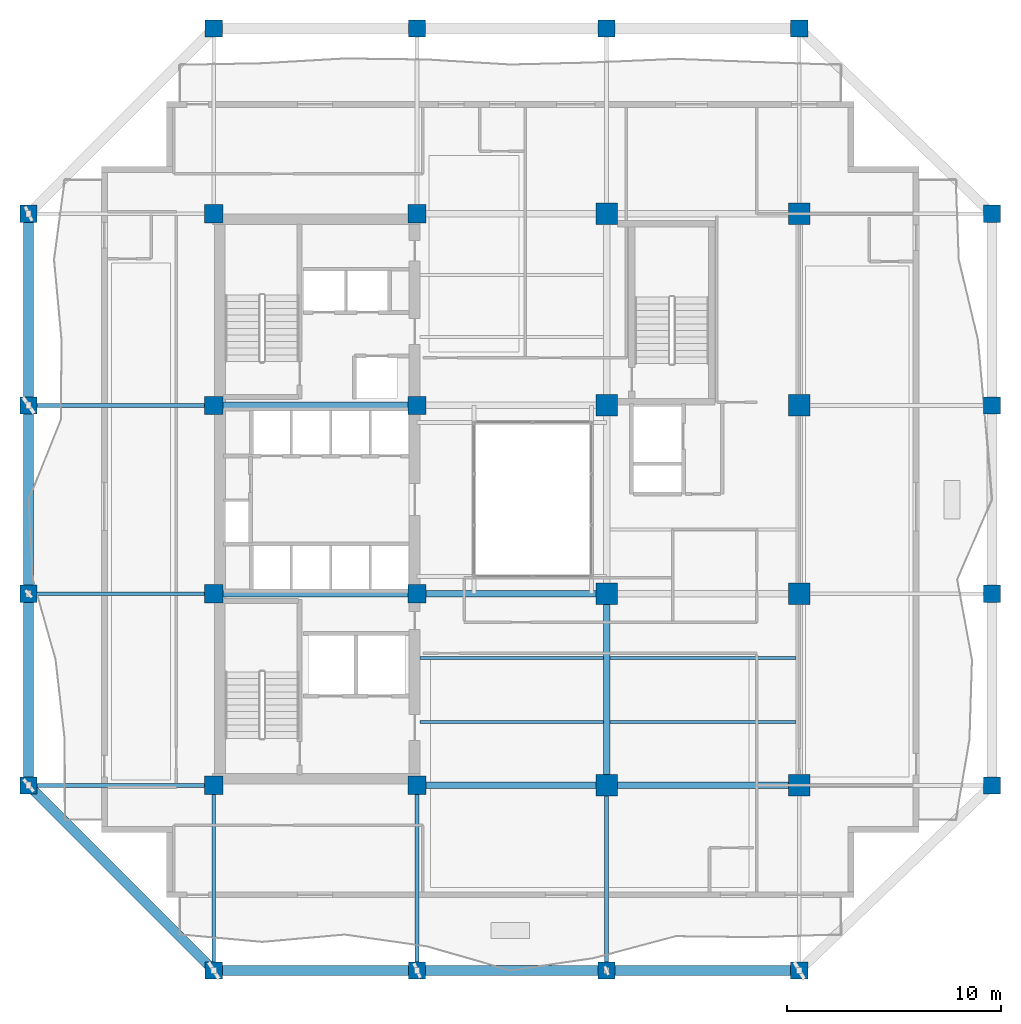
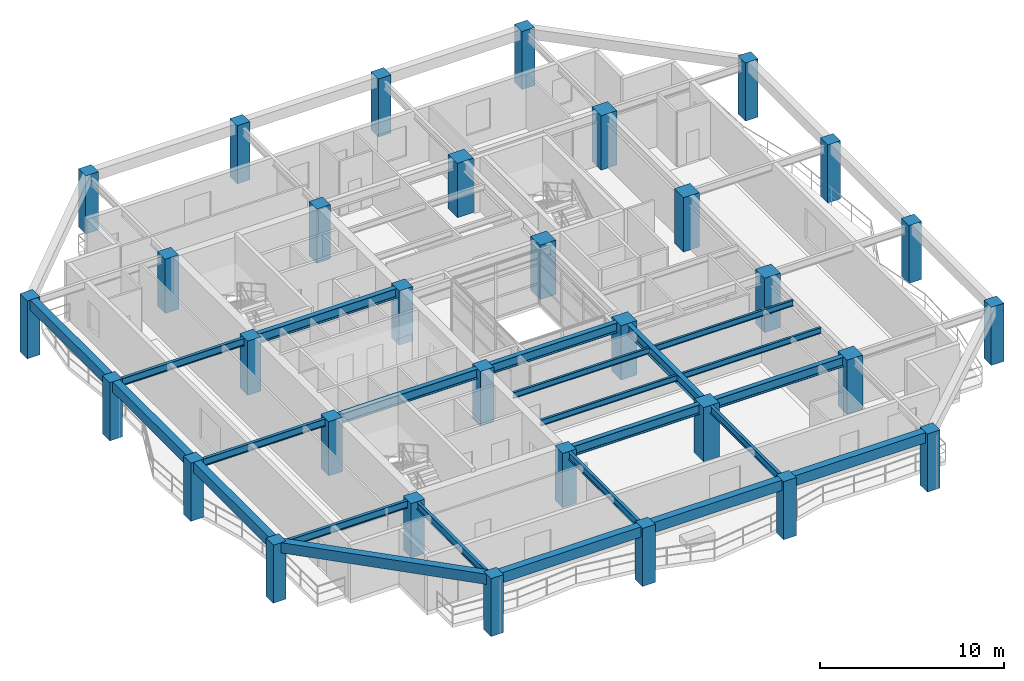
# One storey, part 1 of 14: 32 columns, 23 beams.
"""IFC4 building model written with IfcOpenShell, lengths in metres."""

from ifc_helpers import new_model, si_unit, direction, frame, origin, origin_2d, place, context, subcontext, project, spatial, rectangle, i_section, extrude, material, material_profile, profile_set, type_object, element, save


model = new_model("IFC4")

# Units and contexts
model_context = context("Model", 3, precision=1e-05, world=origin(), true_north=direction((0.0, 1.0)))
body_context = subcontext(model_context, "Body", "Model", "MODEL_VIEW")
ifc_project = project(units=[si_unit("LENGTHUNIT", "METRE"), si_unit("AREAUNIT", "SQUARE_METRE"), si_unit("VOLUMEUNIT", "CUBIC_METRE"), si_unit("PLANEANGLEUNIT", "RADIAN"), si_unit("MASSUNIT", "GRAM", prefix="KILO")], contexts=[model_context])

# Site, building, storey
site_placement = place(None, origin())
site = spatial("IfcSite", under=ifc_project, at=site_placement, CompositionType="ELEMENT")
building_placement = place(site_placement, origin())
building = spatial("IfcBuilding", under=site, at=building_placement, Name="Kundavana Baori Tower", CompositionType="ELEMENT")
storey_placement = place(building_placement, frame((0.0, 0.0, 104.0)))
storey = spatial("IfcBuildingStorey", under=building, at=storey_placement, Name="L24", CompositionType="ELEMENT", Elevation=104.0)

# Columns
ifc_material_1 = material(Name="Concrete C50/60", Category="concrete")
ifc_material_profile_1 = material_profile(ifc_material_1, rectangle(XDim=0.800048828125, YDim=0.800048828125, at=origin_2d()), Name="RC PF 800x800")
ifc_profile_set_1 = profile_set([ifc_material_profile_1], Name="Concrete C50/60")
column_type_1 = type_object("IfcColumnType", Name="COL-PF-800", PredefinedType="COLUMN", material=ifc_profile_set_1)
for number, where, z_axis, x_axis, name in (
    (1, (15.449951171875, 6.60009765625, 0.0), (0.0, 0.0, 1.0), (1.0, 0.0, 0.0), "L24 Stone-Clad Perimeter Frame Column PF-S1"),
    (2, (15.449951171875, 50.60009765625, 0.0), (0.0, 0.0, 1.0), (1.0, 0.0, 0.0), "L24 Stone-Clad Perimeter Frame Column PF-N1"),
    (3, (24.949951171875, 6.60009765625, 0.0), (0.0, 0.0, 1.0), (1.0, 0.0, 0.0), "L24 Stone-Clad Perimeter Frame Column PF-S2"),
    (4, (24.949951171875, 50.60009765625, 0.0), (0.0, 0.0, 1.0), (1.0, 0.0, 0.0), "L24 Stone-Clad Perimeter Frame Column PF-N2"),
    (5, (33.800048828125, 6.60009765625, 0.0), (0.0, 0.0, 1.0), (1.0, 0.0, 0.0), "L24 Stone-Clad Perimeter Frame Column PF-S3"),
    (6, (33.800048828125, 50.60009765625, 0.0), (0.0, 0.0, 1.0), (1.0, 0.0, 0.0), "L24 Stone-Clad Perimeter Frame Column PF-N3"),
    (7, (42.800048828125, 6.60009765625, 0.0), (0.0, 0.0, 1.0), (1.0, 0.0, 0.0), "L24 Stone-Clad Perimeter Frame Column PF-S4"),
    (8, (42.800048828125, 50.60009765625, 0.0), (0.0, 0.0, 1.0), (1.0, 0.0, 0.0), "L24 Stone-Clad Perimeter Frame Column PF-N4"),
    (9, (6.800048828125, 15.25, 0.0), (0.0, 0.0, 1.0), (1.0, 0.0, 0.0), "L24 Stone-Clad Perimeter Frame Column PF-W1"),
    (10, (51.800048828125, 15.25, 0.0), (0.0, 0.0, 1.0), (1.0, 0.0, 0.0), "L24 Stone-Clad Perimeter Frame Column PF-E1"),
    (11, (6.800048828125, 24.199951171875, 0.0), (0.0, 0.0, 1.0), (1.0, 0.0, 0.0), "L24 Stone-Clad Perimeter Frame Column PF-W2"),
    (12, (51.800048828125, 24.199951171875, 0.0), (0.0, 0.0, 1.0), (1.0, 0.0, 0.0), "L24 Stone-Clad Perimeter Frame Column PF-E2"),
    (13, (6.800048828125, 33.0, 0.0), (0.0, 0.0, 1.0), (1.0, 0.0, 0.0), "L24 Stone-Clad Perimeter Frame Column PF-W3"),
    (14, (51.800048828125, 33.0, 0.0), (0.0, 0.0, 1.0), (1.0, 0.0, 0.0), "L24 Stone-Clad Perimeter Frame Column PF-E3"),
    (15, (6.800048828125, 41.949951171875, 0.0), (0.0, 0.0, 1.0), (1.0, 0.0, 0.0), "L24 Stone-Clad Perimeter Frame Column PF-W4"),
    (16, (51.800048828125, 41.949951171875, 0.0), (0.0, 0.0, 1.0), (1.0, 0.0, 0.0), "L24 Stone-Clad Perimeter Frame Column PF-E4"),
):
    element("IfcColumn", number, at=place(storey_placement, frame(where, z_axis=z_axis, x_axis=x_axis)), inside=storey, type_object=column_type_1, Name=name, PredefinedType="COLUMN", context=body_context, shape_type="SweptSolid", body=[
        extrude(rectangle(XDim=0.800048828125, YDim=0.800048828125, at=origin_2d()), origin(), (0.0, 0.0, 1.0), 3.85009765625),
    ])
ifc_material_2 = material(Name="Concrete C50/60", Category="concrete")
ifc_material_profile_2 = material_profile(ifc_material_2, rectangle(XDim=1.0, YDim=1.0, at=origin_2d()), Name="RC 1000x1000")
ifc_profile_set_2 = profile_set([ifc_material_profile_2], Name="Concrete C50/60")
column_type_2 = type_object("IfcColumnType", Name="COL-RC-1000", PredefinedType="COLUMN", material=ifc_profile_set_2)
for number, where, z_axis, x_axis, name in (
    (17, (33.800048828125, 15.25, 0.0), (0.0, 0.0, 1.0), (1.0, 0.0, 0.0), "L24 Interior Column IC-5C"),
    (18, (33.800048828125, 24.199951171875, 0.0), (0.0, 0.0, 1.0), (1.0, 0.0, 0.0), "L24 Interior Column IC-5D"),
    (19, (33.800048828125, 33.0, 0.0), (0.0, 0.0, 1.0), (1.0, 0.0, 0.0), "L24 Interior Column IC-5E"),
    (20, (33.800048828125, 41.949951171875, 0.0), (0.0, 0.0, 1.0), (1.0, 0.0, 0.0), "L24 Interior Column IC-5F"),
    (21, (42.800048828125, 15.25, 0.0), (0.0, 0.0, 1.0), (1.0, 0.0, 0.0), "L24 Interior Column IC-6C"),
    (22, (42.800048828125, 24.199951171875, 0.0), (0.0, 0.0, 1.0), (1.0, 0.0, 0.0), "L24 Interior Column IC-6D"),
    (23, (42.800048828125, 33.0, 0.0), (0.0, 0.0, 1.0), (1.0, 0.0, 0.0), "L24 Interior Column IC-6E"),
    (24, (42.800048828125, 41.949951171875, 0.0), (0.0, 0.0, 1.0), (1.0, 0.0, 0.0), "L24 Interior Column IC-6F"),
):
    element("IfcColumn", number, at=place(storey_placement, frame(where, z_axis=z_axis, x_axis=x_axis)), inside=storey, type_object=column_type_2, Name=name, PredefinedType="COLUMN", context=body_context, shape_type="SweptSolid", body=[
        extrude(rectangle(XDim=1.0, YDim=1.0, at=origin_2d()), origin(), (0.0, 0.0, 1.0), 3.60009765625),
    ])
ifc_material_3 = material(Name="Concrete C50/60", Category="concrete")
ifc_material_profile_3 = material_profile(ifc_material_3, rectangle(XDim=0.85009765625, YDim=0.85009765625, at=origin_2d()), Name="RC 850x850")
ifc_profile_set_3 = profile_set([ifc_material_profile_3], Name="Concrete C50/60")
column_type_3 = type_object("IfcColumnType", Name="COL-RC-850", PredefinedType="COLUMN", material=ifc_profile_set_3)
for number, where, z_axis, x_axis, name in (
    (25, (15.449951171875, 15.25, 0.0), (0.0, 0.0, 1.0), (1.0, 0.0, 0.0), "L24 Interior Column IC-3C"),
    (26, (15.449951171875, 24.199951171875, 0.0), (0.0, 0.0, 1.0), (1.0, 0.0, 0.0), "L24 Interior Column IC-3D"),
    (27, (15.449951171875, 33.0, 0.0), (0.0, 0.0, 1.0), (1.0, 0.0, 0.0), "L24 Interior Column IC-3E"),
    (28, (15.449951171875, 41.949951171875, 0.0), (0.0, 0.0, 1.0), (1.0, 0.0, 0.0), "L24 Interior Column IC-3F"),
    (29, (24.949951171875, 15.25, 0.0), (0.0, 0.0, 1.0), (1.0, 0.0, 0.0), "L24 Interior Column IC-4C"),
    (30, (24.949951171875, 24.199951171875, 0.0), (0.0, 0.0, 1.0), (1.0, 0.0, 0.0), "L24 Interior Column IC-4D"),
    (31, (24.949951171875, 33.0, 0.0), (0.0, 0.0, 1.0), (1.0, 0.0, 0.0), "L24 Interior Column IC-4E"),
    (32, (24.949951171875, 41.949951171875, 0.0), (0.0, 0.0, 1.0), (1.0, 0.0, 0.0), "L24 Interior Column IC-4F"),
):
    element("IfcColumn", number, at=place(storey_placement, frame(where, z_axis=z_axis, x_axis=x_axis)), inside=storey, type_object=column_type_3, Name=name, PredefinedType="COLUMN", context=body_context, shape_type="SweptSolid", body=[
        extrude(rectangle(XDim=0.85009765625, YDim=0.85009765625, at=origin_2d()), origin(), (0.0, 0.0, 1.0), 3.60009765625),
    ])

# Beams
ifc_material_4 = material(Name="Structural Steel S355JR", Category="steel")
ifc_material_profile_4 = material_profile(ifc_material_4, i_section(OverallWidth=0.139892578125, OverallDepth=0.39990234375, WebThickness=0.0087890625, FlangeThickness=0.01611328125, FilletRadius=0.013916015625, at=origin_2d()), Name="ISMB 400")
ifc_profile_set_4 = profile_set([ifc_material_profile_4], Name="Structural Steel S355JR")
beam_type_1 = type_object("IfcBeamType", Name="BM-JST-400", PredefinedType="JOIST", material=ifc_profile_set_4)
for number, where, z_axis, x_axis, name in (
    (33, (25.080078125, 18.199951171875, 3.39990234375), (1.0, 0.0, 0.0), (0.0, 1.0, 0.0), "L24 Central Bay Composite Floor Joist C1"),
    (34, (25.080078125, 21.199951171875, 3.39990234375), (1.0, 0.0, 0.0), (0.0, 1.0, 0.0), "L24 Central Bay Composite Floor Joist C2"),
):
    element("IfcBeam", number, at=place(storey_placement, frame(where, z_axis=z_axis, x_axis=x_axis)), inside=storey, type_object=beam_type_1, Name=name, PredefinedType="JOIST", context=body_context, shape_type="SweptSolid", body=[
        extrude(i_section(OverallWidth=0.139892578125, OverallDepth=0.39990234375, WebThickness=0.0087890625, FlangeThickness=0.01611328125, FilletRadius=0.013916015625, at=origin_2d()), origin(), (0.0, 0.0, 1.0), 8.56982421875),
    ])
for number, where, z_axis, x_axis, name in (
    (35, (33.949951171875, 18.199951171875, 3.39990234375), (1.0, 0.0, 0.0), (0.0, 1.0, 0.0), "L24 East Bay Composite Floor Joist E1"),
    (36, (33.949951171875, 21.199951171875, 3.39990234375), (1.0, 0.0, 0.0), (0.0, 1.0, 0.0), "L24 East Bay Composite Floor Joist E2"),
):
    element("IfcBeam", number, at=place(storey_placement, frame(where, z_axis=z_axis, x_axis=x_axis)), inside=storey, type_object=beam_type_1, Name=name, PredefinedType="JOIST", context=body_context, shape_type="SweptSolid", body=[
        extrude(i_section(OverallWidth=0.139892578125, OverallDepth=0.39990234375, WebThickness=0.0087890625, FlangeThickness=0.01611328125, FilletRadius=0.013916015625, at=origin_2d()), origin(), (0.0, 0.0, 1.0), 8.699951171875),
    ])
ifc_material_5 = material(Name="Concrete C50/60", Category="concrete")
ifc_material_profile_5 = material_profile(ifc_material_5, rectangle(XDim=0.449951171875, YDim=0.679931640625, at=origin_2d()), Name="RC BM 450x680")
ifc_profile_set_5 = profile_set([ifc_material_profile_5], Name="Concrete C50/60")
beam_type_2 = type_object("IfcBeamType", Name="BM-PF-680", PredefinedType="SPANDREL", material=ifc_profile_set_5)
beam_1_placement = place(storey_placement, frame((15.449951171875, 6.60009765625, 3.510009765625), z_axis=(1.0, 0.0, 0.0), x_axis=(0.0, 1.0, 0.0)))
element("IfcBeam", 37, at=beam_1_placement, inside=storey, type_object=beam_type_2, Name="L24 Perimeter Frame Ring Beam S1", PredefinedType="SPANDREL", context=body_context, shape_type="SweptSolid", body=[
    extrude(rectangle(XDim=0.449951171875, YDim=0.679931640625, at=origin_2d()), origin(), (0.0, 0.0, 1.0), 9.5),
])
beam_2_placement = place(storey_placement, frame((24.949951171875, 6.60009765625, 3.510009765625), z_axis=(1.0, 0.0, 0.0), x_axis=(0.0, 1.0, 0.0)))
element("IfcBeam", 38, at=beam_2_placement, inside=storey, type_object=beam_type_2, Name="L24 Perimeter Frame Ring Beam S2", PredefinedType="SPANDREL", context=body_context, shape_type="SweptSolid", body=[
    extrude(rectangle(XDim=0.449951171875, YDim=0.679931640625, at=origin_2d()), origin(), (0.0, 0.0, 1.0), 8.85009765625),
])
beam_3_placement = place(storey_placement, frame((33.800048828125, 6.60009765625, 3.510009765625), z_axis=(1.0, 0.0, 0.0), x_axis=(0.0, 1.0, 0.0)))
element("IfcBeam", 39, at=beam_3_placement, inside=storey, type_object=beam_type_2, Name="L24 Perimeter Frame Ring Beam S3", PredefinedType="SPANDREL", context=body_context, shape_type="SweptSolid", body=[
    extrude(rectangle(XDim=0.449951171875, YDim=0.679931640625, at=origin_2d()), origin(), (0.0, 0.0, 1.0), 9.0),
])
beam_4_placement = place(storey_placement, frame((6.800048828125, 15.25, 3.510009765625), z_axis=(0.0, 1.0, 0.0), x_axis=(-1.0, 0.0, 0.0)))
element("IfcBeam", 40, at=beam_4_placement, inside=storey, type_object=beam_type_2, Name="L24 Perimeter Frame Ring Beam W1", PredefinedType="SPANDREL", context=body_context, shape_type="SweptSolid", body=[
    extrude(rectangle(XDim=0.449951171875, YDim=0.679931640625, at=origin_2d()), origin(), (0.0, 0.0, 1.0), 8.949951171875),
])
beam_5_placement = place(storey_placement, frame((6.800048828125, 24.199951171875, 3.510009765625), z_axis=(0.0, 1.0, 0.0), x_axis=(-1.0, 0.0, 0.0)))
element("IfcBeam", 41, at=beam_5_placement, inside=storey, type_object=beam_type_2, Name="L24 Perimeter Frame Ring Beam W2", PredefinedType="SPANDREL", context=body_context, shape_type="SweptSolid", body=[
    extrude(rectangle(XDim=0.449951171875, YDim=0.679931640625, at=origin_2d()), origin(), (0.0, 0.0, 1.0), 8.800048828125),
])
beam_6_placement = place(storey_placement, frame((6.800048828125, 33.0, 3.510009765625), z_axis=(0.0, 1.0, 0.0), x_axis=(-1.0, 0.0, 0.0)))
element("IfcBeam", 42, at=beam_6_placement, inside=storey, type_object=beam_type_2, Name="L24 Perimeter Frame Ring Beam W3", PredefinedType="SPANDREL", context=body_context, shape_type="SweptSolid", body=[
    extrude(rectangle(XDim=0.449951171875, YDim=0.679931640625, at=origin_2d()), origin(), (0.0, 0.0, 1.0), 8.949951171875),
])
beam_7_placement = place(storey_placement, frame((15.449951171875, 6.60009765625, 3.510009765625), z_axis=(-0.707106781187, 0.707106781187, 0.0), x_axis=(-0.707106781187, -0.707106781187, 0.0)))
element("IfcBeam", 43, at=beam_7_placement, inside=storey, type_object=beam_type_2, Name="L24 Notched Corner Perimeter Beam SW", PredefinedType="SPANDREL", context=body_context, shape_type="SweptSolid", body=[
    extrude(rectangle(XDim=0.449951171875, YDim=0.679931640625, at=origin_2d()), origin(), (0.0, 0.0, 1.0), 12.23291015625),
])
ifc_material_6 = material(Name="Structural Steel S355JR", Category="steel")
ifc_material_profile_6 = material_profile(ifc_material_6, i_section(OverallWidth=0.300048828125, OverallDepth=0.64990234375, WebThickness=0.013427734375, FlangeThickness=0.02197265625, FilletRadius=0.02392578125, at=origin_2d()), Name="NPB 650x300x155")
ifc_profile_set_6 = profile_set([ifc_material_profile_6], Name="Structural Steel S355JR")
beam_type_3 = type_object("IfcBeamType", Name="BM-ST-650", PredefinedType="BEAM", material=ifc_profile_set_6)
beam_8_placement = place(storey_placement, frame((24.949951171875, 15.25, 3.27490234375), z_axis=(1.0, 0.0, 0.0), x_axis=(0.0, 1.0, 0.0)))
element("IfcBeam", 44, at=beam_8_placement, inside=storey, type_object=beam_type_3, Name="L24 Primary Grid Girder GX-1-2", PredefinedType="BEAM", context=body_context, shape_type="SweptSolid", body=[
    extrude(i_section(OverallWidth=0.300048828125, OverallDepth=0.64990234375, WebThickness=0.013427734375, FlangeThickness=0.02197265625, FilletRadius=0.02392578125, at=origin_2d()), origin(), (0.0, 0.0, 1.0), 8.85009765625),
])
beam_9_placement = place(storey_placement, frame((33.800048828125, 15.25, 3.27490234375), z_axis=(1.0, 0.0, 0.0), x_axis=(0.0, 1.0, 0.0)))
element("IfcBeam", 45, at=beam_9_placement, inside=storey, type_object=beam_type_3, Name="L24 Primary Grid Girder GX-1-3", PredefinedType="BEAM", context=body_context, shape_type="SweptSolid", body=[
    extrude(i_section(OverallWidth=0.300048828125, OverallDepth=0.64990234375, WebThickness=0.013427734375, FlangeThickness=0.02197265625, FilletRadius=0.02392578125, at=origin_2d()), origin(), (0.0, 0.0, 1.0), 9.0),
])
beam_10_placement = place(storey_placement, frame((15.449951171875, 24.199951171875, 3.27490234375), z_axis=(1.0, 0.0, 0.0), x_axis=(0.0, 1.0, 0.0)))
element("IfcBeam", 46, at=beam_10_placement, inside=storey, type_object=beam_type_3, Name="L24 Primary Grid Girder GX-2-1", PredefinedType="BEAM", context=body_context, shape_type="SweptSolid", body=[
    extrude(i_section(OverallWidth=0.300048828125, OverallDepth=0.64990234375, WebThickness=0.013427734375, FlangeThickness=0.02197265625, FilletRadius=0.02392578125, at=origin_2d()), origin(), (0.0, 0.0, 1.0), 9.5),
])
beam_11_placement = place(storey_placement, frame((24.949951171875, 24.199951171875, 3.27490234375), z_axis=(1.0, 0.0, 0.0), x_axis=(0.0, 1.0, 0.0)))
element("IfcBeam", 47, at=beam_11_placement, inside=storey, type_object=beam_type_3, Name="L24 Primary Grid Girder GX-2-2", PredefinedType="BEAM", context=body_context, shape_type="SweptSolid", body=[
    extrude(i_section(OverallWidth=0.300048828125, OverallDepth=0.64990234375, WebThickness=0.013427734375, FlangeThickness=0.02197265625, FilletRadius=0.02392578125, at=origin_2d()), origin(), (0.0, 0.0, 1.0), 8.85009765625),
])
beam_12_placement = place(storey_placement, frame((15.449951171875, 33.0, 3.27490234375), z_axis=(1.0, 0.0, 0.0), x_axis=(0.0, 1.0, 0.0)))
element("IfcBeam", 48, at=beam_12_placement, inside=storey, type_object=beam_type_3, Name="L24 Primary Grid Girder GX-3-1", PredefinedType="BEAM", context=body_context, shape_type="SweptSolid", body=[
    extrude(i_section(OverallWidth=0.300048828125, OverallDepth=0.64990234375, WebThickness=0.013427734375, FlangeThickness=0.02197265625, FilletRadius=0.02392578125, at=origin_2d()), origin(), (0.0, 0.0, 1.0), 9.5),
])
beam_13_placement = place(storey_placement, frame((33.800048828125, 15.25, 3.27490234375), z_axis=(0.0, 1.0, 0.0), x_axis=(-1.0, 0.0, 0.0)))
element("IfcBeam", 49, at=beam_13_placement, inside=storey, type_object=beam_type_3, Name="L24 Primary Grid Girder GY-3-1", PredefinedType="BEAM", context=body_context, shape_type="SweptSolid", body=[
    extrude(i_section(OverallWidth=0.300048828125, OverallDepth=0.64990234375, WebThickness=0.013427734375, FlangeThickness=0.02197265625, FilletRadius=0.02392578125, at=origin_2d()), origin(), (0.0, 0.0, 1.0), 8.949951171875),
])
ifc_material_7 = material(Name="Structural Steel S355JR", Category="steel")
ifc_material_profile_7 = material_profile(ifc_material_7, i_section(OverallWidth=0.179931640625, OverallDepth=0.5, WebThickness=0.01025390625, FlangeThickness=0.01708984375, FilletRadius=0.01708984375, at=origin_2d()), Name="ISMB 500")
ifc_profile_set_7 = profile_set([ifc_material_profile_7], Name="Structural Steel S355JR")
beam_type_4 = type_object("IfcBeamType", Name="BM-TIE-500", PredefinedType="BEAM", material=ifc_profile_set_7)
for number, where, z_axis, x_axis, name in (
    (50, (15.449951171875, 15.25, 3.35009765625), (0.0, -1.0, 0.0), (1.0, 0.0, 0.0), "L24 South Radial Loggia Tie Beam S1"),
    (51, (24.949951171875, 15.25, 3.35009765625), (0.0, -1.0, 0.0), (1.0, 0.0, 0.0), "L24 South Radial Loggia Tie Beam S2"),
    (52, (33.800048828125, 15.25, 3.35009765625), (0.0, -1.0, 0.0), (1.0, 0.0, 0.0), "L24 South Radial Loggia Tie Beam S3"),
    (53, (15.449951171875, 15.25, 3.35009765625), (-1.0, 0.0, 0.0), (0.0, -1.0, 0.0), "L24 West Radial Loggia Tie Beam W1"),
    (54, (15.449951171875, 24.199951171875, 3.35009765625), (-1.0, 0.0, 0.0), (0.0, -1.0, 0.0), "L24 West Radial Loggia Tie Beam W2"),
    (55, (15.449951171875, 33.0, 3.35009765625), (-1.0, 0.0, 0.0), (0.0, -1.0, 0.0), "L24 West Radial Loggia Tie Beam W3"),
):
    element("IfcBeam", number, at=place(storey_placement, frame(where, z_axis=z_axis, x_axis=x_axis)), inside=storey, type_object=beam_type_4, Name=name, PredefinedType="BEAM", context=body_context, shape_type="SweptSolid", body=[
        extrude(i_section(OverallWidth=0.179931640625, OverallDepth=0.5, WebThickness=0.01025390625, FlangeThickness=0.01708984375, FilletRadius=0.01708984375, at=origin_2d()), origin(), (0.0, 0.0, 1.0), 8.64990234375),
    ])

save(model, "model.ifc")
